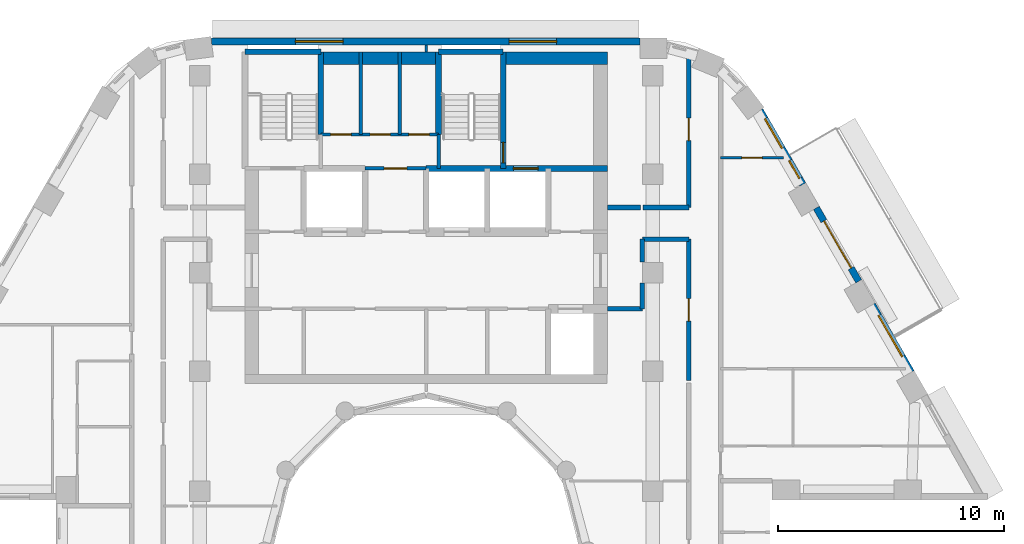
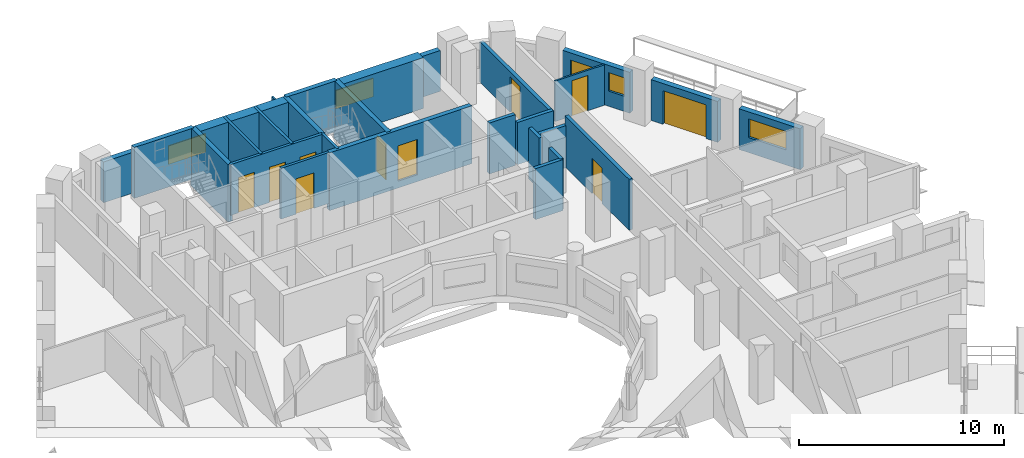
# One storey, part 9 of 18: 27 walls, 10 doors, 5 windows, 15 openings.
"""IFC4 building model written with IfcOpenShell, lengths in metres."""

from ifc_helpers import new_model, si_unit, direction, frame, frame_2d, origin, place, context, subcontext, project, spatial, rectangle, extrude, material, layer, layer_set, type_object, element, fill, save


model = new_model("IFC4")

# Units and contexts
model_context = context("Model", 3, precision=1e-05, world=origin(), true_north=direction((0.0, 1.0)))
body_context = subcontext(model_context, "Body", "Model", "MODEL_VIEW")
ifc_project = project(units=[si_unit("LENGTHUNIT", "METRE"), si_unit("AREAUNIT", "SQUARE_METRE"), si_unit("VOLUMEUNIT", "CUBIC_METRE"), si_unit("PLANEANGLEUNIT", "RADIAN"), si_unit("MASSUNIT", "GRAM", prefix="KILO")], contexts=[model_context])

# Site, building, storey
site_placement = place(None, origin())
site = spatial("IfcSite", under=ifc_project, at=site_placement, CompositionType="ELEMENT")
building_placement = place(site_placement, origin())
building = spatial("IfcBuilding", under=site, at=building_placement, Name="Nakaniwa Court", CompositionType="ELEMENT")
storey_placement = place(building_placement, frame((0.0, 0.0, 176.699951171875)))
storey = spatial("IfcBuildingStorey", under=building, at=storey_placement, Name="L45", CompositionType="ELEMENT", Elevation=176.699951171875)

# Wall, opening, door
ifc_material_1 = material(Name="Acoustic double stud partition")
ifc_layer_1 = layer(ifc_material_1, 0.199951171875)
ifc_layer_set_1 = layer_set([ifc_layer_1], Name="Acoustic double stud partition")
wall_type_1 = type_object("IfcWallType", Name="Acoustic double stud partition 200", PredefinedType="PARTITIONING", material=ifc_layer_set_1)
wall_1_placement = place(storey_placement, frame((91.60009765625, 87.537109375, 0.0), z_axis=(0.0, 0.0, 1.0), x_axis=(0.0, 1.0, 0.0)))
wall_1 = element("IfcWall", 1, at=wall_1_placement, inside=storey, type_object=wall_type_1, Name="Partition PW-075", PredefinedType="PARTITIONING", context=body_context, shape_type="SweptSolid", body=[
    extrude(rectangle(XDim=6.23779296875, YDim=0.199951171875, at=frame_2d((3.118896484375, 0.0))), origin(), (0.0, 0.0, 1.0), 3.025146484375),
])
opening_1_placement = place(wall_1_placement, frame((2.6201171875, 0.0, 0.0)))
opening_1 = element("IfcOpeningElement", 2, at=opening_1_placement, cuts=wall_1, Name="Opening D-02-03", PredefinedType="OPENING", context=body_context, shape_type="SweptSolid", body=[
    extrude(rectangle(XDim=1.0, YDim=2.10009765625, at=frame_2d((0.5, 1.050048828125))), frame((0.0, 0.10986328125, 0.0), z_axis=(0.0, -1.0, 0.0), x_axis=(1.0, 0.0, 0.0)), (0.0, 0.0, 1.0), 0.219970703125),
])
ifc_material_2 = material(Name="Solid core timber door set, black veneer", Category="wood")
door_type_1 = type_object("IfcDoorType", Name="Internal door 1000", OperationType="NOTDEFINED", PredefinedType="DOOR", material=ifc_material_2)
door_1_placement = place(opening_1_placement, origin())
door_1 = element("IfcDoor", 3, at=door_1_placement, inside=storey, type_object=door_type_1, Name="Door D-02-03 L45-038", OperationType="SINGLE_SWING_LEFT", OverallHeight=2.10009765625, OverallWidth=1.0, PredefinedType="DOOR", context=body_context, shape_type="SweptSolid", body=[
    extrude(rectangle(XDim=1.0, YDim=2.10009765625, at=frame_2d((0.5, 1.050048828125))), frame((0.0, 0.02490234375, 0.0), z_axis=(0.0, -1.0, 0.0), x_axis=(1.0, 0.0, 0.0)), (0.0, 0.0, 1.0), 0.050048828125),
])
fill(opening_1, door_1)

wall_2_placement = place(storey_placement, frame((91.60009765625, 95.175048828125, 0.0), z_axis=(0.0, 0.0, 1.0), x_axis=(0.0, 1.0, 0.0)))
wall_2 = element("IfcWall", 4, at=wall_2_placement, inside=storey, type_object=wall_type_1, Name="Partition PW-076", PredefinedType="PARTITIONING", context=body_context, shape_type="SweptSolid", body=[
    extrude(rectangle(XDim=6.898681640625, YDim=0.199951171875, at=frame_2d((3.44921875, 0.0))), origin(), (0.0, 0.0, 1.0), 2.405029296875),
])
opening_2_placement = place(wall_2_placement, frame((2.949951171875, 0.0, 0.0)))
opening_2 = element("IfcOpeningElement", 5, at=opening_2_placement, cuts=wall_2, Name="Opening D-02-07", PredefinedType="OPENING", context=body_context, shape_type="SweptSolid", body=[
    extrude(rectangle(XDim=1.0, YDim=2.10009765625, at=frame_2d((0.5, 1.050048828125))), frame((0.0, 0.10986328125, 0.0), z_axis=(0.0, -1.0, 0.0), x_axis=(1.0, 0.0, 0.0)), (0.0, 0.0, 1.0), 0.219970703125),
])
door_2_placement = place(opening_2_placement, origin())
door_2 = element("IfcDoor", 6, at=door_2_placement, inside=storey, type_object=door_type_1, Name="Door D-02-07 L45-060", OperationType="SINGLE_SWING_LEFT", OverallHeight=2.10009765625, OverallWidth=1.0, PredefinedType="DOOR", context=body_context, shape_type="SweptSolid", body=[
    extrude(rectangle(XDim=1.0, YDim=2.10009765625, at=frame_2d((0.5, 1.050048828125))), frame((0.0, 0.02490234375, 0.0), z_axis=(0.0, -1.0, 0.0), x_axis=(1.0, 0.0, 0.0)), (0.0, 0.0, 1.0), 0.050048828125),
])
fill(opening_2, door_2)

# Walls
wall_3_placement = place(storey_placement, frame((89.550048828125, 90.699951171875, 0.0), z_axis=(0.0, 0.0, 1.0), x_axis=(0.0, 1.0, 0.0)))
element("IfcWall", 7, at=wall_3_placement, inside=storey, type_object=wall_type_1, Name="Partition PW-086", PredefinedType="PARTITIONING", context=body_context, shape_type="SweptSolid", body=[
    extrude(rectangle(XDim=1.1328125, YDim=0.199951171875, at=frame_2d((0.56640625, 0.0))), origin(), (0.0, 0.0, 1.0), 3.025146484375),
])
wall_4_placement = place(storey_placement, frame((89.550048828125, 92.76708984375, 0.0), z_axis=(0.0, 0.0, 1.0), x_axis=(0.0, 1.0, 0.0)))
element("IfcWall", 8, at=wall_4_placement, inside=storey, type_object=wall_type_1, Name="Partition PW-087", PredefinedType="PARTITIONING", context=body_context, shape_type="SweptSolid", body=[
    extrude(rectangle(XDim=1.0078125, YDim=0.199951171875, at=frame_2d((0.50390625, 0.0))), origin(), (0.0, 0.0, 1.0), 3.025146484375),
])
wall_5_placement = place(storey_placement, frame((89.550048828125, 93.77490234375, 0.0), z_axis=(0.0, 0.0, 1.0), x_axis=(1.0, 0.0, 0.0)))
element("IfcWall", 9, at=wall_5_placement, inside=storey, type_object=wall_type_1, Name="Partition PW-091", PredefinedType="PARTITIONING", context=body_context, shape_type="SweptSolid", body=[
    extrude(rectangle(XDim=2.050048828125, YDim=0.199951171875, at=frame_2d((1.02490234375, 0.0))), origin(), (0.0, 0.0, 1.0), 2.505126953125),
])
wall_6_placement = place(storey_placement, frame((88.0, 90.699951171875, 0.0), z_axis=(0.0, 0.0, 1.0), x_axis=(1.0, 0.0, 0.0)))
element("IfcWall", 10, at=wall_6_placement, inside=storey, type_object=wall_type_1, Name="Partition PW-093", PredefinedType="PARTITIONING", context=body_context, shape_type="SweptSolid", body=[
    extrude(rectangle(XDim=1.550048828125, YDim=0.199951171875, at=frame_2d((0.77490234375, 0.0))), origin(), (0.0, 0.0, 1.0), 3.025146484375),
])
wall_7_placement = place(storey_placement, frame((88.0, 95.175048828125, 0.0), z_axis=(0.0, 0.0, 1.0), x_axis=(1.0, 0.0, 0.0)))
element("IfcWall", 11, at=wall_7_placement, inside=storey, type_object=wall_type_1, Name="Partition PW-096", PredefinedType="PARTITIONING", context=body_context, shape_type="SweptSolid", body=[
    extrude(rectangle(XDim=1.472900390625, YDim=0.199951171875, at=frame_2d((0.736328125, 0.0))), origin(), (0.0, 0.0, 1.0), 3.025146484375),
])
wall_8_placement = place(storey_placement, frame((89.587158203125, 95.175048828125, 0.0), z_axis=(0.0, 0.0, 1.0), x_axis=(1.0, 0.0, 0.0)))
element("IfcWall", 12, at=wall_8_placement, inside=storey, type_object=wall_type_1, Name="Partition PW-097", PredefinedType="PARTITIONING", context=body_context, shape_type="SweptSolid", body=[
    extrude(rectangle(XDim=2.012939453125, YDim=0.199951171875, at=frame_2d((1.00634765625, 0.0))), origin(), (0.0, 0.0, 1.0), 2.505126953125),
])

# Wall, opening, window
ifc_material_3 = material(Name="Charcoal ceramic cladding")
ifc_layer_2 = layer(ifc_material_3, 0.02, Name="Ceramic cladding")
ifc_material_4 = material(Name="Ventilated air cavity")
ifc_layer_3 = layer(ifc_material_4, 0.04, ventilated=True, Name="Ventilated cavity")
ifc_material_5 = material(Name="Mineral wool insulation")
ifc_layer_4 = layer(ifc_material_5, 0.1, Name="Insulation")
ifc_material_6 = material(Name="Cement bonded sheathing board")
ifc_layer_5 = layer(ifc_material_6, 0.012, Name="Sheathing")
ifc_material_7 = material(Name="Cold-formed galvanised stud frame with mineral wool infill")
ifc_layer_6 = layer(ifc_material_7, 0.1, Name="Stud frame")
ifc_material_8 = material(Name="Fire-rated gypsum plasterboard lining")
ifc_layer_7 = layer(ifc_material_8, 0.028, Name="Lining")
ifc_layer_set_2 = layer_set([ifc_layer_2, ifc_layer_3, ifc_layer_4, ifc_layer_5, ifc_layer_6, ifc_layer_7], Name="Charcoal ceramic faced external wall system")
wall_type_2 = type_object("IfcWallType", Name="Black ceramic faced external wall 300", PredefinedType="SOLIDWALL", material=ifc_layer_set_2)
wall_9_placement = place(storey_placement, frame((101.420654296875, 87.898193359375, 0.0), z_axis=(0.0, 0.0, 1.0), x_axis=(-0.499955427682, 0.866051136095, 0.0)))
wall_9 = element("IfcWall", 13, at=wall_9_placement, inside=storey, type_object=wall_type_2, Name="L45 external wall 03", PredefinedType="SOLIDWALL", context=body_context, shape_type="SweptSolid", body=[
    extrude(rectangle(XDim=3.447021484375, YDim=0.300048828125, at=frame_2d((1.7236328125, 0.0))), origin(), (0.0, 0.0, 1.0), 2.425048828125),
])
opening_3_placement = place(wall_9_placement, frame((0.798095703125, 0.0, 0.89990234375)))
opening_3 = element("IfcOpeningElement", 14, at=opening_3_placement, cuts=wall_9, Name="Opening W7.02", PredefinedType="OPENING", context=body_context, shape_type="SweptSolid", body=[
    extrude(rectangle(XDim=2.10009765625, YDim=1.10009765625, at=frame_2d((1.050048828125, 0.550048828125))), frame((0.0, 0.159912109375, 0.0), z_axis=(0.0, -1.0, 0.0), x_axis=(1.0, 0.0, 0.0)), (0.0, 0.0, 1.0), 0.320068359375),
])
ifc_material_9 = material(Name="Black anodised aluminium frame with dark low-E laminated double glazing", Category="aluminium")
window_type_1 = type_object("IfcWindowType", Name="Dark glass window 2100x1100 sill 900", PartitioningType="SINGLE_PANEL", PredefinedType="WINDOW", material=ifc_material_9)
window_1_placement = place(opening_3_placement, origin())
window_1 = element("IfcWindow", 15, at=window_1_placement, inside=storey, type_object=window_type_1, Name="L45 living window 03-1", OverallHeight=1.10009765625, OverallWidth=2.10009765625, PartitioningType="SINGLE_PANEL", PredefinedType="WINDOW", context=body_context, shape_type="SweptSolid", body=[
    extrude(rectangle(XDim=2.10009765625, YDim=1.10009765625, at=frame_2d((1.050048828125, 0.550048828125))), frame((0.0, 0.030029296875, 0.0), z_axis=(0.0, -1.0, 0.0), x_axis=(1.0, 0.0, 0.0)), (0.0, 0.0, 1.0), 0.06005859375),
])
fill(opening_3, window_1)

# Wall, opening, door
wall_10_placement = place(storey_placement, frame((99.101318359375, 91.916015625, 0.0), z_axis=(0.0, 0.0, 1.0), x_axis=(-0.500059225181, 0.86599120741, 0.0)))
wall_10 = element("IfcWall", 16, at=wall_10_placement, inside=storey, type_object=wall_type_2, Name="L45 external wall 04", PredefinedType="SOLIDWALL", context=body_context, shape_type="SweptSolid", body=[
    extrude(rectangle(XDim=3.744140625, YDim=0.300048828125, at=frame_2d((1.8720703125, 0.0))), origin(), (0.0, 0.0, 1.0), 2.425048828125),
])
opening_4_placement = place(wall_10_placement, frame((0.672119140625, 0.0, 0.0)))
opening_4 = element("IfcOpeningElement", 17, at=opening_4_placement, cuts=wall_10, Name="Opening XD13.01", PredefinedType="OPENING", context=body_context, shape_type="SweptSolid", body=[
    extrude(rectangle(XDim=2.39990234375, YDim=2.0, at=frame_2d((1.199951171875, 1.0))), frame((0.0, 0.159912109375, 0.0), z_axis=(0.0, -1.0, 0.0), x_axis=(1.0, 0.0, 0.0)), (0.0, 0.0, 1.0), 0.320068359375),
])
ifc_material_10 = material(Name="Black powder-coated aluminium frame with dark laminated glass", Category="aluminium")
door_type_2 = type_object("IfcDoorType", Name="Balcony sliding door 2400x2000", OperationType="DOUBLE_DOOR_SLIDING", PredefinedType="DOOR", material=ifc_material_10)
door_3_placement = place(opening_4_placement, origin())
door_3 = element("IfcDoor", 18, at=door_3_placement, inside=storey, type_object=door_type_2, Name="L45 balcony sliding door 03", OperationType="DOUBLE_DOOR_SLIDING", OverallHeight=2.0, OverallWidth=2.39990234375, PredefinedType="DOOR", context=body_context, shape_type="SweptSolid", body=[
    extrude(rectangle(XDim=2.39990234375, YDim=2.0, at=frame_2d((1.199951171875, 1.0))), frame((0.0, 0.02490234375, 0.0), z_axis=(0.0, -1.0, 0.0), x_axis=(1.0, 0.0, 0.0)), (0.0, 0.0, 1.0), 0.050048828125),
])
fill(opening_4, door_3)

# Wall, openings, windows
wall_11_placement = place(storey_placement, frame((96.633056640625, 96.190673828125, 0.0), z_axis=(0.0, 0.0, 1.0), x_axis=(-0.499961087031, 0.866047869032, 0.0)))
wall_11 = element("IfcWall", 19, at=wall_11_placement, inside=storey, type_object=wall_type_2, Name="L45 external wall 05", PredefinedType="SOLIDWALL", context=body_context, shape_type="SweptSolid", body=[
    extrude(rectangle(XDim=3.778564453125, YDim=0.300048828125, at=frame_2d((1.88916015625, 0.0))), origin(), (0.0, 0.0, 1.0), 2.425048828125),
])
opening_5_placement = place(wall_11_placement, frame((0.30810546875, 0.0, 0.89990234375)))
opening_5 = element("IfcOpeningElement", 20, at=opening_5_placement, cuts=wall_11, Name="Opening W9.03", PredefinedType="OPENING", context=body_context, shape_type="SweptSolid", body=[
    extrude(rectangle(XDim=0.89990234375, YDim=1.10009765625, at=frame_2d((0.449951171875, 0.550048828125))), frame((0.0, 0.159912109375, 0.0), z_axis=(0.0, -1.0, 0.0), x_axis=(1.0, 0.0, 0.0)), (0.0, 0.0, 1.0), 0.320068359375),
])
opening_6_placement = place(wall_11_placement, frame((1.84912109375, 0.0, 0.89990234375)))
opening_6 = element("IfcOpeningElement", 21, at=opening_6_placement, cuts=wall_11, Name="Opening W5.04", PredefinedType="OPENING", context=body_context, shape_type="SweptSolid", body=[
    extrude(rectangle(XDim=1.5, YDim=1.10009765625, at=frame_2d((0.75, 0.550048828125))), frame((0.0, 0.159912109375, 0.0), z_axis=(0.0, -1.0, 0.0), x_axis=(1.0, 0.0, 0.0)), (0.0, 0.0, 1.0), 0.320068359375),
])
window_type_2 = type_object("IfcWindowType", Name="Dark glass window 1500x1100 sill 900", PartitioningType="SINGLE_PANEL", PredefinedType="WINDOW", material=ifc_material_9)
window_2_placement = place(opening_6_placement, origin())
window_2 = element("IfcWindow", 22, at=window_2_placement, inside=storey, type_object=window_type_2, Name="L45 habitable room window 05-1", OverallHeight=1.10009765625, OverallWidth=1.5, PartitioningType="SINGLE_PANEL", PredefinedType="WINDOW", context=body_context, shape_type="SweptSolid", body=[
    extrude(rectangle(XDim=1.5, YDim=1.10009765625, at=frame_2d((0.75, 0.550048828125))), frame((0.0, 0.030029296875, 0.0), z_axis=(0.0, -1.0, 0.0), x_axis=(1.0, 0.0, 0.0)), (0.0, 0.0, 1.0), 0.06005859375),
])
fill(opening_6, window_2)
window_type_3 = type_object("IfcWindowType", Name="Dark glass window 900x1100 sill 900", PartitioningType="SINGLE_PANEL", PredefinedType="WINDOW", material=ifc_material_9)
window_3_placement = place(opening_5_placement, origin())
window_3 = element("IfcWindow", 23, at=window_3_placement, inside=storey, type_object=window_type_3, Name="L45 living window 05-0", OverallHeight=1.10009765625, OverallWidth=0.89990234375, PartitioningType="SINGLE_PANEL", PredefinedType="WINDOW", context=body_context, shape_type="SweptSolid", body=[
    extrude(rectangle(XDim=0.89990234375, YDim=1.10009765625, at=frame_2d((0.449951171875, 0.550048828125))), frame((0.0, 0.030029296875, 0.0), z_axis=(0.0, -1.0, 0.0), x_axis=(1.0, 0.0, 0.0)), (0.0, 0.0, 1.0), 0.06005859375),
])
fill(opening_5, window_3)

wall_12_placement = place(storey_placement, frame((89.44921875, 102.5, 0.0), z_axis=(0.0, 0.0, 1.0), x_axis=(-1.0, 0.0, 0.0)))
wall_12 = element("IfcWall", 24, at=wall_12_placement, inside=storey, type_object=wall_type_2, Name="L45 external wall 08", PredefinedType="SOLIDWALL", context=body_context, shape_type="SweptSolid", body=[
    extrude(rectangle(XDim=18.932861328125, YDim=0.300048828125, at=frame_2d((9.46630859375, 0.0))), origin(), (0.0, 0.0, 1.0), 2.425048828125),
])
opening_7_placement = place(wall_12_placement, frame((3.6865234375, 0.0, 0.89990234375)))
opening_7 = element("IfcOpeningElement", 25, at=opening_7_placement, cuts=wall_12, Name="Opening W7.07", PredefinedType="OPENING", context=body_context, shape_type="SweptSolid", body=[
    extrude(rectangle(XDim=2.10009765625, YDim=1.10009765625, at=frame_2d((1.050048828125, 0.550048828125))), frame((0.0, 0.159912109375, 0.0), z_axis=(0.0, -1.0, 0.0), x_axis=(1.0, 0.0, 0.0)), (0.0, 0.0, 1.0), 0.320068359375),
])
opening_8_placement = place(wall_12_placement, frame((13.117919921875, 0.0, 0.89990234375)))
opening_8 = element("IfcOpeningElement", 26, at=opening_8_placement, cuts=wall_12, Name="Opening W7.08", PredefinedType="OPENING", context=body_context, shape_type="SweptSolid", body=[
    extrude(rectangle(XDim=2.10009765625, YDim=1.10009765625, at=frame_2d((1.050048828125, 0.550048828125))), frame((0.0, 0.159912109375, 0.0), z_axis=(0.0, -1.0, 0.0), x_axis=(1.0, 0.0, 0.0)), (0.0, 0.0, 1.0), 0.320068359375),
])
window_4_placement = place(opening_7_placement, origin())
window_4 = element("IfcWindow", 27, at=window_4_placement, inside=storey, type_object=window_type_1, Name="L45 habitable room window 08-0", OverallHeight=1.10009765625, OverallWidth=2.10009765625, PartitioningType="SINGLE_PANEL", PredefinedType="WINDOW", context=body_context, shape_type="SweptSolid", body=[
    extrude(rectangle(XDim=2.10009765625, YDim=1.10009765625, at=frame_2d((1.050048828125, 0.550048828125))), frame((0.0, 0.030029296875, 0.0), z_axis=(0.0, -1.0, 0.0), x_axis=(1.0, 0.0, 0.0)), (0.0, 0.0, 1.0), 0.06005859375),
])
fill(opening_7, window_4)
window_5_placement = place(opening_8_placement, origin())
window_5 = element("IfcWindow", 28, at=window_5_placement, inside=storey, type_object=window_type_1, Name="L45 habitable room window 08-1", OverallHeight=1.10009765625, OverallWidth=2.10009765625, PartitioningType="SINGLE_PANEL", PredefinedType="WINDOW", context=body_context, shape_type="SweptSolid", body=[
    extrude(rectangle(XDim=2.10009765625, YDim=1.10009765625, at=frame_2d((1.050048828125, 0.550048828125))), frame((0.0, 0.030029296875, 0.0), z_axis=(0.0, -1.0, 0.0), x_axis=(1.0, 0.0, 0.0)), (0.0, 0.0, 1.0), 0.06005859375),
])
fill(opening_8, window_5)

# Wall, opening, door
ifc_material_11 = material(Name="Blockwork partition", Category="masonry")
ifc_layer_8 = layer(ifc_material_11, 0.14990234375)
ifc_layer_set_3 = layer_set([ifc_layer_8], Name="Blockwork partition")
wall_type_3 = type_object("IfcWallType", Name="Blockwork partition 150", PredefinedType="PARTITIONING", material=ifc_layer_set_3)
wall_13_placement = place(storey_placement, frame((77.300048828125, 96.89990234375, 0.0), z_axis=(0.0, 0.0, 1.0), x_axis=(1.0, 0.0, 0.0)))
wall_13 = element("IfcWall", 29, at=wall_13_placement, inside=storey, type_object=wall_type_3, Name="Partition PW-021", PredefinedType="PARTITIONING", context=body_context, shape_type="SweptSolid", body=[
    extrude(rectangle(XDim=2.699951171875, YDim=0.14990234375, at=frame_2d((1.35009765625, 0.0))), origin(), (0.0, 0.0, 1.0), 3.025146484375),
])
opening_9_placement = place(wall_13_placement, frame((0.85009765625, 0.0, 0.0)))
opening_9 = element("IfcOpeningElement", 30, at=opening_9_placement, cuts=wall_13, Name="Opening D-23-01", PredefinedType="OPENING", context=body_context, shape_type="SweptSolid", body=[
    extrude(rectangle(XDim=1.0, YDim=2.10009765625, at=frame_2d((0.5, 1.050048828125))), frame((0.0, 0.0849609375, 0.0), z_axis=(0.0, -1.0, 0.0), x_axis=(1.0, 0.0, 0.0)), (0.0, 0.0, 1.0), 0.169921875),
])
ifc_material_12 = material(Name="Fire rated steel door set", Category="steel")
door_type_3 = type_object("IfcDoorType", Name="Service room door 1000", OperationType="NOTDEFINED", PredefinedType="DOOR", material=ifc_material_12)
door_4_placement = place(opening_9_placement, origin())
door_4 = element("IfcDoor", 31, at=door_4_placement, inside=storey, type_object=door_type_3, Name="Door D-23-01 L45-008", OperationType="SINGLE_SWING_LEFT", OverallHeight=2.10009765625, OverallWidth=1.0, PredefinedType="DOOR", context=body_context, shape_type="SweptSolid", body=[
    extrude(rectangle(XDim=1.0, YDim=2.10009765625, at=frame_2d((0.5, 1.050048828125))), frame((0.0, 0.02490234375, 0.0), z_axis=(0.0, -1.0, 0.0), x_axis=(1.0, 0.0, 0.0)), (0.0, 0.0, 1.0), 0.050048828125),
])
fill(opening_9, door_4)

# Wall, openings, doors
wall_14_placement = place(storey_placement, frame((75.35009765625, 98.39990234375, 0.0), z_axis=(0.0, 0.0, 1.0), x_axis=(1.0, 0.0, 0.0)))
wall_14 = element("IfcWall", 32, at=wall_14_placement, inside=storey, type_object=wall_type_3, Name="Partition PW-033", PredefinedType="PARTITIONING", context=body_context, shape_type="SweptSolid", body=[
    extrude(rectangle(XDim=5.199951171875, YDim=0.14990234375, at=frame_2d((2.60009765625, 0.0))), origin(), (0.0, 0.0, 1.0), 3.025146484375),
])
opening_10_placement = place(wall_14_placement, frame((0.43408203125, 0.0, 0.0)))
opening_10 = element("IfcOpeningElement", 33, at=opening_10_placement, cuts=wall_14, Name="Opening D-05-06", PredefinedType="OPENING", context=body_context, shape_type="SweptSolid", body=[
    extrude(rectangle(XDim=0.89990234375, YDim=2.10009765625, at=frame_2d((0.449951171875, 1.050048828125))), frame((0.0, 0.0849609375, 0.0), z_axis=(0.0, -1.0, 0.0), x_axis=(1.0, 0.0, 0.0)), (0.0, 0.0, 1.0), 0.169921875),
])
opening_11_placement = place(wall_14_placement, frame((2.176025390625, 0.0, 0.0)))
opening_11 = element("IfcOpeningElement", 34, at=opening_11_placement, cuts=wall_14, Name="Opening D-05-07", PredefinedType="OPENING", context=body_context, shape_type="SweptSolid", body=[
    extrude(rectangle(XDim=0.89990234375, YDim=2.10009765625, at=frame_2d((0.449951171875, 1.050048828125))), frame((0.0, 0.0849609375, 0.0), z_axis=(0.0, -1.0, 0.0), x_axis=(1.0, 0.0, 0.0)), (0.0, 0.0, 1.0), 0.169921875),
])
opening_12_placement = place(wall_14_placement, frame((3.89208984375, 0.0, 0.0)))
opening_12 = element("IfcOpeningElement", 35, at=opening_12_placement, cuts=wall_14, Name="Opening D-05-08", PredefinedType="OPENING", context=body_context, shape_type="SweptSolid", body=[
    extrude(rectangle(XDim=0.89990234375, YDim=2.10009765625, at=frame_2d((0.449951171875, 1.050048828125))), frame((0.0, 0.0849609375, 0.0), z_axis=(0.0, -1.0, 0.0), x_axis=(1.0, 0.0, 0.0)), (0.0, 0.0, 1.0), 0.169921875),
])
door_type_4 = type_object("IfcDoorType", Name="Service room door 900", OperationType="NOTDEFINED", PredefinedType="DOOR", material=ifc_material_12)
door_5_placement = place(opening_10_placement, origin())
door_5 = element("IfcDoor", 36, at=door_5_placement, inside=storey, type_object=door_type_4, Name="Door D-05-06 L45-009", OperationType="SINGLE_SWING_RIGHT", OverallHeight=2.10009765625, OverallWidth=0.89990234375, PredefinedType="DOOR", context=body_context, shape_type="SweptSolid", body=[
    extrude(rectangle(XDim=0.89990234375, YDim=2.10009765625, at=frame_2d((0.449951171875, 1.050048828125))), frame((0.0, 0.02490234375, 0.0), z_axis=(0.0, -1.0, 0.0), x_axis=(1.0, 0.0, 0.0)), (0.0, 0.0, 1.0), 0.050048828125),
])
fill(opening_10, door_5)
door_6_placement = place(opening_11_placement, origin())
door_6 = element("IfcDoor", 37, at=door_6_placement, inside=storey, type_object=door_type_4, Name="Door D-05-07 L45-010", OperationType="SINGLE_SWING_LEFT", OverallHeight=2.10009765625, OverallWidth=0.89990234375, PredefinedType="DOOR", context=body_context, shape_type="SweptSolid", body=[
    extrude(rectangle(XDim=0.89990234375, YDim=2.10009765625, at=frame_2d((0.449951171875, 1.050048828125))), frame((0.0, 0.02490234375, 0.0), z_axis=(0.0, -1.0, 0.0), x_axis=(1.0, 0.0, 0.0)), (0.0, 0.0, 1.0), 0.050048828125),
])
fill(opening_11, door_6)
door_7_placement = place(opening_12_placement, origin())
door_7 = element("IfcDoor", 38, at=door_7_placement, inside=storey, type_object=door_type_4, Name="Door D-05-08 L45-011", OperationType="SINGLE_SWING_RIGHT", OverallHeight=2.10009765625, OverallWidth=0.89990234375, PredefinedType="DOOR", context=body_context, shape_type="SweptSolid", body=[
    extrude(rectangle(XDim=0.89990234375, YDim=2.10009765625, at=frame_2d((0.449951171875, 1.050048828125))), frame((0.0, 0.02490234375, 0.0), z_axis=(0.0, -1.0, 0.0), x_axis=(1.0, 0.0, 0.0)), (0.0, 0.0, 1.0), 0.050048828125),
])
fill(opening_12, door_7)

# Walls
for number, where, z_axis, x_axis, name in (
    (39, (77.117919921875, 98.39990234375, 0.0), (0.0, 0.0, 1.0), (0.0, 1.0, 0.0), "Partition PW-034"),
    (40, (78.833984375, 98.39990234375, 0.0), (0.0, 0.0, 1.0), (0.0, 1.0, 0.0), "Partition PW-035"),
):
    element("IfcWall", number, at=place(storey_placement, frame(where, z_axis=z_axis, x_axis=x_axis)), inside=storey, type_object=wall_type_3, Name=name, PredefinedType="PARTITIONING", context=body_context, shape_type="SweptSolid", body=[
        extrude(rectangle(XDim=3.650146484375, YDim=0.14990234375, at=frame_2d((1.8251953125, 0.0))), origin(), (0.0, 0.0, 1.0), 3.025146484375),
    ])
ifc_material_13 = material(Name="Concrete C80/100", Category="concrete")
ifc_layer_9 = layer(ifc_material_13, 0.14990234375)
ifc_layer_set_4 = layer_set([ifc_layer_9], Name="Concrete C80/100")
wall_type_4 = type_object("IfcWallType", Name="Concrete core wall 150 C80", PredefinedType="SHEAR", material=ifc_layer_set_4)
wall_15_placement = place(storey_placement, frame((80.550048828125, 96.89990234375, -0.409912109375), z_axis=(0.0, 0.0, 1.0), x_axis=(0.0, 1.0, 0.0)))
element("IfcWall", 41, at=wall_15_placement, inside=storey, type_object=wall_type_4, Name="Core wall SW-29", PredefinedType="SHEAR", context=body_context, shape_type="SweptSolid", body=[
    extrude(rectangle(XDim=1.503173828125, YDim=0.14990234375, at=frame_2d((0.75146484375, 0.0))), origin(), (0.0, 0.0, 1.0), 3.43505859375),
])
ifc_layer_10 = layer(ifc_material_13, 0.25)
ifc_layer_set_5 = layer_set([ifc_layer_10], Name="Concrete C80/100")
wall_type_5 = type_object("IfcWallType", Name="Concrete core wall 250 C80", PredefinedType="SHEAR", material=ifc_layer_set_5)
wall_16_placement = place(storey_placement, frame((72.0, 102.050048828125, 0.0), z_axis=(0.0, 0.0, 1.0), x_axis=(1.0, 0.0, 0.0)))
element("IfcWall", 42, at=wall_16_placement, inside=storey, type_object=wall_type_5, Name="Core wall SW-25", PredefinedType="SHEAR", context=body_context, shape_type="SweptSolid", body=[
    extrude(rectangle(XDim=3.35009765625, YDim=0.25, at=frame_2d((1.675048828125, 0.0))), origin(), (0.0, 0.0, 1.0), 3.025146484375),
])
wall_17_placement = place(storey_placement, frame((80.550048828125, 102.050048828125, 0.0), z_axis=(0.0, 0.0, 1.0), x_axis=(1.0, 0.0, 0.0)))
element("IfcWall", 43, at=wall_17_placement, inside=storey, type_object=wall_type_5, Name="Core wall SW-26", PredefinedType="SHEAR", context=body_context, shape_type="SweptSolid", body=[
    extrude(rectangle(XDim=2.849853515625, YDim=0.25, at=frame_2d((1.4248046875, 0.0))), origin(), (0.0, 0.0, 1.0), 3.025146484375),
])
ifc_layer_11 = layer(ifc_material_13, 0.550048828125)
ifc_layer_set_6 = layer_set([ifc_layer_11], Name="Concrete C80/100")
wall_type_6 = type_object("IfcWallType", Name="Concrete core wall 550 C80", PredefinedType="SHEAR", material=ifc_layer_set_6)
wall_18_placement = place(storey_placement, frame((75.35009765625, 101.77490234375, 0.0), z_axis=(0.0, 0.0, 1.0), x_axis=(1.0, 0.0, 0.0)))
element("IfcWall", 44, at=wall_18_placement, inside=storey, type_object=wall_type_6, Name="Core wall SW-31", PredefinedType="SHEAR", context=body_context, shape_type="SweptSolid", body=[
    extrude(rectangle(XDim=5.199951171875, YDim=0.550048828125, at=frame_2d((2.60009765625, 0.0))), origin(), (0.0, 0.0, 1.0), 3.025146484375),
])
wall_19_placement = place(storey_placement, frame((83.39990234375, 101.77490234375, 0.0), z_axis=(0.0, 0.0, 1.0), x_axis=(1.0, 0.0, 0.0)))
element("IfcWall", 45, at=wall_19_placement, inside=storey, type_object=wall_type_6, Name="Core wall SW-32", PredefinedType="SHEAR", context=body_context, shape_type="SweptSolid", body=[
    extrude(rectangle(XDim=4.60009765625, YDim=0.550048828125, at=frame_2d((2.300048828125, 0.0))), origin(), (0.0, 0.0, 1.0), 3.025146484375),
])

# Wall, opening, door
ifc_layer_12 = layer(ifc_material_13, 0.25)
ifc_layer_set_7 = layer_set([ifc_layer_12], Name="Concrete C80/100")
wall_type_7 = type_object("IfcWallType", Name="Concrete shaft wall 250 C80", PredefinedType="SHEAR", material=ifc_layer_set_7)
wall_20_placement = place(storey_placement, frame((80.0, 96.89990234375, -0.409912109375), z_axis=(0.0, 0.0, 1.0), x_axis=(1.0, 0.0, 0.0)))
wall_20 = element("IfcWall", 46, at=wall_20_placement, inside=storey, type_object=wall_type_7, Name="Core wall SW-19", PredefinedType="SHEAR", context=body_context, shape_type="SweptSolid", body=[
    extrude(rectangle(XDim=8.0, YDim=0.25, at=frame_2d((4.0, 0.0))), origin(), (0.0, 0.0, 1.0), 3.43505859375),
])
opening_13_placement = place(wall_20_placement, frame((3.84912109375, 0.0, 0.409912109375)))
opening_13 = element("IfcOpeningElement", 47, at=opening_13_placement, cuts=wall_20, Name="Opening LD04", PredefinedType="OPENING", context=body_context, shape_type="SweptSolid", body=[
    extrude(rectangle(XDim=1.10009765625, YDim=2.10009765625, at=frame_2d((0.550048828125, 1.050048828125))), frame((0.0, 0.135009765625, 0.0), z_axis=(0.0, -1.0, 0.0), x_axis=(1.0, 0.0, 0.0)), (0.0, 0.0, 1.0), 0.27001953125),
])
ifc_material_14 = material(Name="Stainless steel sliding lift landing door", Category="steel")
door_type_5 = type_object("IfcDoorType", Name="Lift landing door 1100", OperationType="NOTDEFINED", PredefinedType="DOOR", material=ifc_material_14)
door_8_placement = place(opening_13_placement, origin())
door_8 = element("IfcDoor", 48, at=door_8_placement, inside=storey, type_object=door_type_5, Name="Lift landing door LD04 L45-004", OperationType="SLIDING_TO_LEFT", OverallHeight=2.10009765625, OverallWidth=1.10009765625, PredefinedType="DOOR", context=body_context, shape_type="SweptSolid", body=[
    extrude(rectangle(XDim=1.10009765625, YDim=2.10009765625, at=frame_2d((0.550048828125, 1.050048828125))), frame((0.0, 0.02490234375, 0.0), z_axis=(0.0, -1.0, 0.0), x_axis=(1.0, 0.0, 0.0)), (0.0, 0.0, 1.0), 0.050048828125),
])
fill(opening_13, door_8)

# Wall
wall_21_placement = place(storey_placement, frame((75.35009765625, 98.39697265625, -0.409912109375), z_axis=(0.0, 0.0, 1.0), x_axis=(0.0, 1.0, 0.0)))
element("IfcWall", 49, at=wall_21_placement, inside=storey, type_object=wall_type_7, Name="Core wall SW-24", PredefinedType="SHEAR", context=body_context, shape_type="SweptSolid", body=[
    extrude(rectangle(XDim=3.653076171875, YDim=0.25, at=frame_2d((1.82666015625, 0.0))), origin(), (0.0, 0.0, 1.0), 3.43505859375),
])

# Wall, opening, door
wall_22_placement = place(storey_placement, frame((83.39990234375, 102.050048828125, -0.409912109375), z_axis=(0.0, 0.0, 1.0), x_axis=(0.0, -1.0, 0.0)))
wall_22 = element("IfcWall", 50, at=wall_22_placement, inside=storey, type_object=wall_type_7, Name="Core wall SW-28", PredefinedType="SHEAR", context=body_context, shape_type="SweptSolid", body=[
    extrude(rectangle(XDim=5.150146484375, YDim=0.25, at=frame_2d((2.5751953125, 0.0))), origin(), (0.0, 0.0, 1.0), 3.43505859375),
])
opening_14_placement = place(wall_22_placement, frame((4.0, 0.0, 0.409912109375)))
opening_14 = element("IfcOpeningElement", 51, at=opening_14_placement, cuts=wall_22, Name="Opening D-11-01", PredefinedType="OPENING", context=body_context, shape_type="SweptSolid", body=[
    extrude(rectangle(XDim=0.89990234375, YDim=2.10009765625, at=frame_2d((0.449951171875, 1.050048828125))), frame((0.0, 0.135009765625, 0.0), z_axis=(0.0, -1.0, 0.0), x_axis=(1.0, 0.0, 0.0)), (0.0, 0.0, 1.0), 0.27001953125),
])
door_type_6 = type_object("IfcDoorType", Name="Stair door 900", OperationType="NOTDEFINED", PredefinedType="DOOR", material=ifc_material_12)
door_9_placement = place(opening_14_placement, origin())
door_9 = element("IfcDoor", 52, at=door_9_placement, inside=storey, type_object=door_type_6, Name="Door D-11-01 L45-013", OperationType="SINGLE_SWING_LEFT", OverallHeight=2.10009765625, OverallWidth=0.89990234375, PredefinedType="DOOR", context=body_context, shape_type="SweptSolid", body=[
    extrude(rectangle(XDim=0.89990234375, YDim=2.10009765625, at=frame_2d((0.449951171875, 1.050048828125))), frame((0.0, 0.02490234375, 0.0), z_axis=(0.0, -1.0, 0.0), x_axis=(1.0, 0.0, 0.0)), (0.0, 0.0, 1.0), 0.050048828125),
])
fill(opening_14, door_9)

# Walls
wall_23_placement = place(storey_placement, frame((80.550048828125, 98.39697265625, -0.409912109375), z_axis=(0.0, 0.0, 1.0), x_axis=(0.0, 1.0, 0.0)))
element("IfcWall", 53, at=wall_23_placement, inside=storey, type_object=wall_type_7, Name="Core wall SW-30", PredefinedType="SHEAR", context=body_context, shape_type="SweptSolid", body=[
    extrude(rectangle(XDim=3.653076171875, YDim=0.25, at=frame_2d((1.82666015625, 0.0))), origin(), (0.0, 0.0, 1.0), 3.43505859375),
])
ifc_material_15 = material(Name="Single stud plasterboard partition")
ifc_layer_13 = layer(ifc_material_15, 0.10009765625)
ifc_layer_set_8 = layer_set([ifc_layer_13], Name="Single stud plasterboard partition")
wall_type_8 = type_object("IfcWallType", Name="Single stud plasterboard partition 100", PredefinedType="PARTITIONING", material=ifc_layer_set_8)
wall_24_placement = place(storey_placement, frame((80.0, 102.050048828125, 0.0), z_axis=(0.0, 0.0, 1.0), x_axis=(0.0, 1.0, 0.0)))
element("IfcWall", 54, at=wall_24_placement, inside=storey, type_object=wall_type_8, Name="Partition PW-112", PredefinedType="PARTITIONING", context=body_context, shape_type="SweptSolid", body=[
    extrude(rectangle(XDim=0.300048828125, YDim=0.10009765625, at=frame_2d((0.14990234375, 0.0))), origin(), (0.0, 0.0, 1.0), 3.025146484375),
])

# Wall, opening, door
wall_25_placement = place(storey_placement, frame((93.0009765625, 97.3759765625, 0.0), z_axis=(0.0, 0.0, 1.0), x_axis=(1.0, 0.0, 0.0)))
wall_25 = element("IfcWall", 55, at=wall_25_placement, inside=storey, type_object=wall_type_8, Name="Partition PW-132", PredefinedType="PARTITIONING", context=body_context, shape_type="SweptSolid", body=[
    extrude(rectangle(XDim=2.77490234375, YDim=0.10009765625, at=frame_2d((1.387451171875, 0.0))), origin(), (0.0, 0.0, 1.0), 2.405029296875),
])
opening_15_placement = place(wall_25_placement, frame((0.93701171875, 0.0, 0.0)))
opening_15 = element("IfcOpeningElement", 56, at=opening_15_placement, cuts=wall_25, Name="Opening D-33-08", PredefinedType="OPENING", context=body_context, shape_type="SweptSolid", body=[
    extrude(rectangle(XDim=0.89990234375, YDim=2.10009765625, at=frame_2d((0.449951171875, 1.050048828125))), frame((0.0, 0.06005859375, 0.0), z_axis=(0.0, -1.0, 0.0), x_axis=(1.0, 0.0, 0.0)), (0.0, 0.0, 1.0), 0.1201171875),
])
door_type_7 = type_object("IfcDoorType", Name="Internal door 900", OperationType="NOTDEFINED", PredefinedType="DOOR", material=ifc_material_2)
door_10_placement = place(opening_15_placement, origin())
door_10 = element("IfcDoor", 57, at=door_10_placement, inside=storey, type_object=door_type_7, Name="Door D-33-08 L45-043", OperationType="SINGLE_SWING_RIGHT", OverallHeight=2.10009765625, OverallWidth=0.89990234375, PredefinedType="DOOR", context=body_context, shape_type="SweptSolid", body=[
    extrude(rectangle(XDim=0.89990234375, YDim=2.10009765625, at=frame_2d((0.449951171875, 1.050048828125))), frame((0.0, 0.02490234375, 0.0), z_axis=(0.0, -1.0, 0.0), x_axis=(1.0, 0.0, 0.0)), (0.0, 0.0, 1.0), 0.050048828125),
])
fill(opening_15, door_10)

save(model, "model.ifc")
